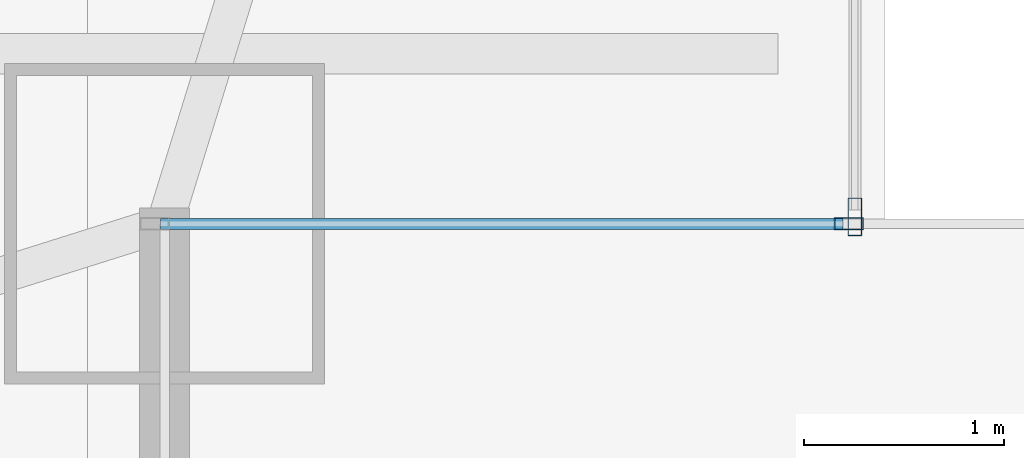
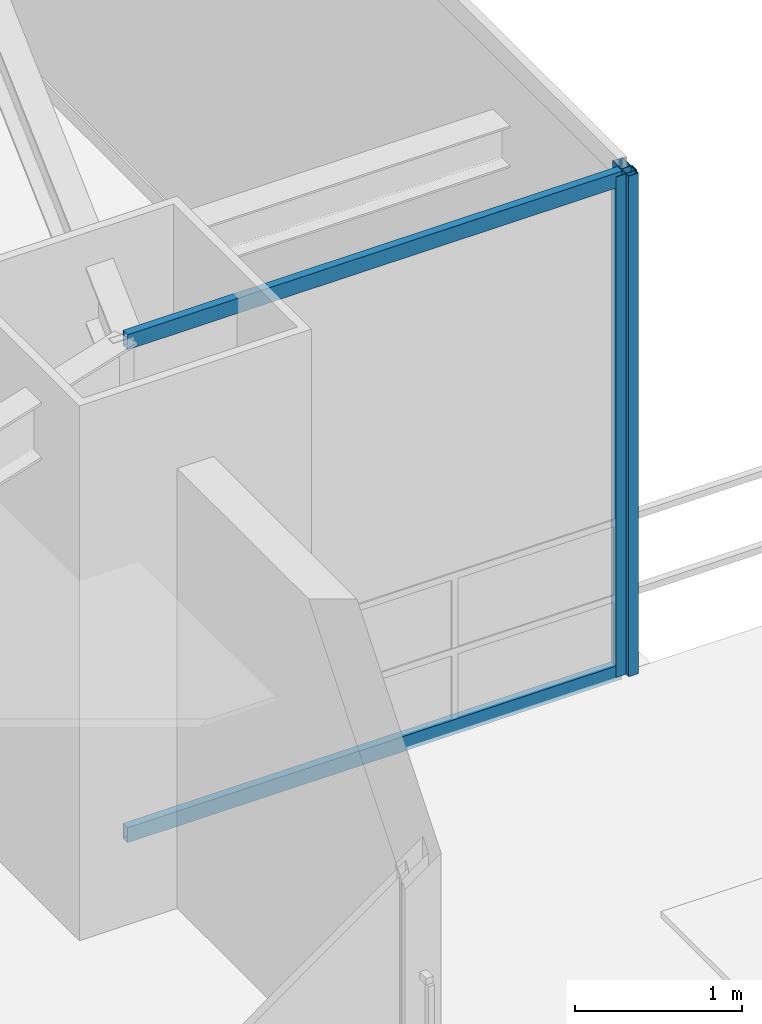
# One storey, part 22 of 34: 4 members, 2 elements without a shape of their own.
"""IFC4 building model written with IfcOpenShell, lengths in metres."""

import ifcopenshell
import ifcopenshell.guid

model = None  # the IFC model being written
_history = None  # IfcOwnerHistory: only IFC2X3 demands one
_inside = {}  # id of a spatial element -> (the spatial element, [elements in it])
_under = {}  # id of a project, library or spatial element -> (it, [spatial elements below it])
_declared = {}  # id of a project -> (the project, [libraries it declares])
_typed = {}  # id of a type object -> (the type object, [elements of that type])
_made_of = {}  # id of a material, layer set ... -> (it, [elements and type objects made of it])


def new_model(schema):
    """Start an empty IFC model of exactly this schema.

    Asked for "IFC4X3", IfcOpenShell would pick the latest addendum, in which some entities
    have other attributes; the version numbers below select the first issue.
    IFC2X3 requires an IfcOwnerHistory on every rooted entity: one is made here for all.
    """
    global model, _history
    if schema == "IFC4X3":
        model = ifcopenshell.file(schema_version=(4, 3, 0, 0))
    else:
        model = ifcopenshell.file(schema=schema)
    _inside.clear()
    _under.clear()
    _declared.clear()
    _typed.clear()
    _made_of.clear()
    _history = None
    if model.schema == "IFC2X3":
        org = make("IfcOrganization", Name="unknown")
        user = make(
            "IfcPersonAndOrganization",
            ThePerson=make("IfcPerson", FamilyName="unknown"),
            TheOrganization=org,
        )
        app = make(
            "IfcApplication",
            ApplicationDeveloper=org,
            Version="unknown",
            ApplicationFullName="unknown",
            ApplicationIdentifier="unknown",
        )
        _history = make(
            "IfcOwnerHistory",
            OwningUser=user,
            OwningApplication=app,
            ChangeAction="ADDED",
            CreationDate=0,
        )
    return model


def make(cls, **values):
    """One entity of the class cls with the attributes given. An attribute that is None is left unset."""
    return model.create_entity(
        cls, **{name: value for name, value in values.items() if value is not None}
    )


def rooted(cls, **values):
    """An entity with a GlobalId (a new one), such as an element, a storey or a relation."""
    return make(cls, GlobalId=ifcopenshell.guid.new(), OwnerHistory=_history, **values)


def si_unit(unit_type, name, prefix=None):
    """IfcSIUnit, for example si_unit("LENGTHUNIT", "METRE", prefix="MILLI")."""
    return make("IfcSIUnit", UnitType=unit_type, Prefix=prefix, Name=name)


def assignment(units):
    """IfcUnitAssignment: the units of a project."""
    return None if units is None else make("IfcUnitAssignment", Units=units)


def point(xyz):
    """IfcCartesianPoint."""
    return None if xyz is None else make("IfcCartesianPoint", Coordinates=xyz)


def direction(xyz):
    """IfcDirection."""
    return None if xyz is None else make("IfcDirection", DirectionRatios=xyz)


def frame(location, z_axis=None, x_axis=None):
    """IfcAxis2Placement3D, a coordinate frame: its origin and axes. An axis left out is left unset."""
    return make(
        "IfcAxis2Placement3D",
        Location=point(location),
        Axis=direction(z_axis),
        RefDirection=direction(x_axis),
    )


def frame_2d(location, x_axis=None):
    """IfcAxis2Placement2D, a coordinate frame in the plane: its origin and x axis."""
    return make(
        "IfcAxis2Placement2D", Location=point(location), RefDirection=direction(x_axis)
    )


def origin():
    """The frame at (0, 0, 0) with its axes left unset."""
    return frame((0.0, 0.0, 0.0))


def origin_2d():
    """The frame at (0, 0) in the plane with its x axis left unset."""
    return frame_2d((0.0, 0.0))


def place(relative_to, where):
    """IfcLocalPlacement: puts the frame where relative to a parent placement (None: the world)."""
    return make(
        "IfcLocalPlacement", PlacementRelTo=relative_to, RelativePlacement=where
    )


def context(
    kind, dimensions, precision=None, world=None, true_north=None, identifier=None
):
    """IfcGeometricRepresentationContext, for example the 3D "Model" context."""
    return make(
        "IfcGeometricRepresentationContext",
        ContextIdentifier=identifier,
        ContextType=kind,
        CoordinateSpaceDimension=dimensions,
        Precision=precision,
        WorldCoordinateSystem=world,
        TrueNorth=true_north,
    )


def subcontext(parent, identifier, kind, view, scale=None):
    """IfcGeometricRepresentationSubContext, for example "Body" below "Model"."""
    return make(
        "IfcGeometricRepresentationSubContext",
        ContextIdentifier=identifier,
        ContextType=kind,
        ParentContext=parent,
        TargetScale=scale,
        TargetView=view,
    )


def project(units=None, contexts=None):
    """IfcProject with its units and contexts."""
    return rooted(
        "IfcProject",
        Name="project",
        RepresentationContexts=contexts,
        UnitsInContext=assignment(units),
    )


def spatial(cls, under=None, at=None, **own):
    """A site, building, storey or space (cls), placed at a placement, below another one or the project."""
    s = rooted(cls, ObjectPlacement=at, **own)
    if under is not None:
        _under.setdefault(under.id(), (under, []))[1].append(s)
    return s


def profile(cls, at=None, kind="AREA", **sizes):
    """A parametric profile (cls). Its sizes go by their IFC names, for example OverallWidth=200.0."""
    return make(cls, ProfileType=kind, Position=at, **sizes)


def hollow_rectangle(**sizes):
    """IfcRectangleHollowProfileDef."""
    return profile("IfcRectangleHollowProfileDef", **sizes)


def extrude(swept, where, along, depth):
    """IfcExtrudedAreaSolid: the profile swept, set in the frame where, extruded along a direction by depth."""
    return make(
        "IfcExtrudedAreaSolid",
        SweptArea=swept,
        Position=where,
        ExtrudedDirection=direction(along),
        Depth=depth,
    )


def shape(context_of_items, identifier, shape_type, items):
    """IfcShapeRepresentation: the items that make up one representation, for example the "Body"."""
    return make(
        "IfcShapeRepresentation",
        ContextOfItems=context_of_items,
        RepresentationIdentifier=identifier,
        RepresentationType=shape_type,
        Items=items,
    )


def source(mapping_origin, context_of_items, identifier, shape_type, items):
    """IfcRepresentationMap: a shape defined once, which mapped items show again and again."""
    return make(
        "IfcRepresentationMap",
        MappingOrigin=mapping_origin,
        MappedRepresentation=shape(context_of_items, identifier, shape_type, items),
    )


def transform(
    local_origin,
    x_axis=None,
    y_axis=None,
    z_axis=None,
    scale=None,
    scale2=None,
    scale3=None,
    uniform=True,
):
    """IfcCartesianTransformationOperator3D, or its non-uniform kind. x_axis, y_axis, z_axis: its Axis1, 2, 3."""
    if uniform:
        return make(
            "IfcCartesianTransformationOperator3D",
            Axis1=direction(x_axis),
            Axis2=direction(y_axis),
            LocalOrigin=point(local_origin),
            Scale=scale,
            Axis3=direction(z_axis),
        )
    return make(
        "IfcCartesianTransformationOperator3DnonUniform",
        Axis1=direction(x_axis),
        Axis2=direction(y_axis),
        LocalOrigin=point(local_origin),
        Scale=scale,
        Axis3=direction(z_axis),
        Scale2=scale2,
        Scale3=scale3,
    )


def mapped(mapping_source, mapping_target):
    """IfcMappedItem: shows the shape of a source again, moved by a transform."""
    return make(
        "IfcMappedItem", MappingSource=mapping_source, MappingTarget=mapping_target
    )


def material(Name=None, Category=None):
    """IfcMaterial."""
    return make("IfcMaterial", Name=Name, Category=Category)


def layer(
    of_material, thickness, ventilated=None, Name=None, Category=None, Priority=None
):
    """IfcMaterialLayer: one layer of a wall or slab, of a material (None: an air gap)."""
    return make(
        "IfcMaterialLayer",
        Material=of_material,
        LayerThickness=thickness,
        IsVentilated=ventilated,
        Name=Name,
        Category=Category,
        Priority=Priority,
    )


def layer_set(layers, Name=None):
    """IfcMaterialLayerSet."""
    return make("IfcMaterialLayerSet", MaterialLayers=layers, LayerSetName=Name)


def material_profile(
    of_material, cross_section, Name=None, Category=None, Priority=None
):
    """IfcMaterialProfile: a cross section and its material."""
    return make(
        "IfcMaterialProfile",
        Name=Name,
        Material=of_material,
        Profile=cross_section,
        Priority=Priority,
        Category=Category,
    )


def profile_set(profiles, Name=None, composite=None):
    """IfcMaterialProfileSet."""
    return make(
        "IfcMaterialProfileSet",
        Name=Name,
        MaterialProfiles=profiles,
        CompositeProfile=composite,
    )


def made_of(thing, what):
    """Note that an element or type object is made of a material, layer set ...; save() writes the relation."""
    if what is not None:
        _made_of.setdefault(what.id(), (what, []))[1].append(thing)
    return thing


def type_object(cls, material=None, **own):
    """A type object (cls), such as IfcWallType, which elements share."""
    return made_of(rooted(cls, **own), material)


def type_shapes(of_type, sources):
    """Give a type object the sources (RepresentationMaps) that its elements show as mapped items."""
    of_type.RepresentationMaps = sources


def element(
    cls,
    number,
    at=None,
    inside=None,
    cuts=None,
    type_object=None,
    material=None,
    context=None,
    identifier="Body",
    shape_type=None,
    held_by="IfcProductDefinitionShape",
    body=None,
    shapes=None,
    **own,
):
    """One element of the class cls, such as IfcWall. Its Tag is "e" and its number.

    at: its placement. inside: the storey or other place that contains it. cuts: it is an
    opening in that element (IfcRelVoidsElement). A single representation is given by context,
    identifier, shape_type and body (its items); several are given by shapes. held_by: the class
    of the entity that holds the representations. save() writes the other relations.
    """
    e = rooted(cls, Tag="e%d" % number, ObjectPlacement=at, **own)
    if body is not None:
        shapes = [shape(context, identifier, shape_type, body)]
    if shapes is not None:
        e.Representation = make(held_by, Representations=shapes)
    if inside is not None:
        _inside.setdefault(inside.id(), (inside, []))[1].append(e)
    if cuts is not None:
        rooted(
            "IfcRelVoidsElement", RelatingBuildingElement=cuts, RelatedOpeningElement=e
        )
    if type_object is not None:
        _typed.setdefault(type_object.id(), (type_object, []))[1].append(e)
    return made_of(e, material)


def aggregate(whole, parts):
    """IfcRelAggregates: a whole, such as a stair, and the parts it consists of."""
    return rooted("IfcRelAggregates", RelatingObject=whole, RelatedObjects=parts)


def save(model, path):
    """Write the relations noted so far, then the file.

    IfcRelAggregates (storeys below a building ...), IfcRelContainedInSpatialStructure (elements
    in a storey), IfcRelDefinesByType, IfcRelAssociatesMaterial and IfcRelDeclares: one each for
    every whole, place, type object, material and project.
    """
    for whole, parts in _under.values():
        aggregate(whole, parts)
    for where, things in _inside.values():
        rooted(
            "IfcRelContainedInSpatialStructure",
            RelatedElements=things,
            RelatingStructure=where,
        )
    for kind, things in _typed.values():
        rooted("IfcRelDefinesByType", RelatedObjects=things, RelatingType=kind)
    for what, things in _made_of.values():
        rooted("IfcRelAssociatesMaterial", RelatedObjects=things, RelatingMaterial=what)
    for by, libraries in _declared.values():
        rooted("IfcRelDeclares", RelatingContext=by, RelatedDefinitions=libraries)
    model.write(path)


model = new_model("IFC4")

# Units and contexts
model_context = context("Model", 3, precision=1e-05, world=origin(), true_north=direction((0.0, 1.0)))
body_context = subcontext(model_context, "Body", "Model", "MODEL_VIEW")
ifc_project = project(units=[si_unit("LENGTHUNIT", "METRE"), si_unit("AREAUNIT", "SQUARE_METRE"), si_unit("VOLUMEUNIT", "CUBIC_METRE"), si_unit("PLANEANGLEUNIT", "RADIAN"), si_unit("MASSUNIT", "GRAM", prefix="KILO")], contexts=[model_context])

# Site, building, storey
site_placement = place(None, origin())
site = spatial("IfcSite", under=ifc_project, at=site_placement, CompositionType="ELEMENT")
building_placement = place(site_placement, origin())
building = spatial("IfcBuilding", under=site, at=building_placement, Name="Varnel Quay Broadcast Tower", CompositionType="ELEMENT")
storey_placement = place(building_placement, frame((0.0, 0.0, 27.60009765625)))
storey = spatial("IfcBuildingStorey", under=building, at=storey_placement, Name="L05", CompositionType="ELEMENT", Elevation=27.60009765625)

# Curtain wall, member
ifc_material = material(Name="Anodised Bronze Aluminium 6063-T6", Category="aluminium")
ifc_layer_1 = layer(ifc_material, 0.18994140625, Name="Anodised Bronze Aluminium 6063-T6")
ifc_layer_set_1 = layer_set([ifc_layer_1], Name="Anodised Bronze Aluminium 6063-T6")
curtain_wall_type_1 = type_object("IfcCurtainWallType", Name="CW_LowerTower", PredefinedType="NOTDEFINED", material=ifc_layer_set_1)
curtain_wall_1_placement = place(storey_placement, origin())
curtain_wall_1 = element("IfcCurtainWall", 1, at=curtain_wall_1_placement, inside=storey, type_object=curtain_wall_type_1, Name="L05 East Unitised Curtain Wall", PredefinedType="NOTDEFINED")
ifc_material_profile_1 = material_profile(ifc_material, hollow_rectangle(XDim=0.070068359375, YDim=0.18994140625, WallThickness=0.00390625, at=origin_2d()), Name="ALU70X190X4")
ifc_profile_set_1 = profile_set([ifc_material_profile_1], Name="Anodised Bronze Aluminium 6063-T6")
member_type_1 = type_object("IfcMemberType", Name="Mull_CWS-02", PredefinedType="MULLION", material=ifc_profile_set_1)
shared_shape_1 = source(origin(), body_context, "Body", "SweptSolid", [
    extrude(hollow_rectangle(XDim=0.070068359375, YDim=0.18994140625, WallThickness=0.00390625, at=origin_2d()), origin(), (0.0, 0.0, 1.0), 3.64990234375),
])
type_shapes(member_type_1, [shared_shape_1])
member_1_placement = place(storey_placement, frame((65.85009765625, 4.8349609375, 0.0), z_axis=(0.0, 0.0, 1.0), x_axis=(-1.0, 0.0, 0.0)))
member_1 = element("IfcMember", 2, at=member_1_placement, type_object=member_type_1, Name="CWS-02 mullion 1", PredefinedType="MULLION", context=body_context, shape_type="MappedRepresentation", body=[
    mapped(shared_shape_1, transform((0.0, 0.0, 0.0), x_axis=(1.0, 0.0, 0.0), y_axis=(0.0, 1.0, 0.0), z_axis=(0.0, 0.0, 1.0), scale=1.0)),
])
aggregate(curtain_wall_1, [member_1])

# Curtain wall, members
ifc_layer_2 = layer(ifc_material, 0.18994140625, Name="Anodised Bronze Aluminium 6063-T6")
ifc_layer_set_2 = layer_set([ifc_layer_2], Name="Anodised Bronze Aluminium 6063-T6")
curtain_wall_type_2 = type_object("IfcCurtainWallType", Name="CW_NotchCorner", PredefinedType="NOTDEFINED", material=ifc_layer_set_2)
curtain_wall_2_placement = place(storey_placement, origin())
curtain_wall_2 = element("IfcCurtainWall", 3, at=curtain_wall_2_placement, inside=storey, type_object=curtain_wall_type_2, Name="L05 SE Notch Curtain Wall", PredefinedType="NOTDEFINED")
ifc_material_profile_2 = material_profile(ifc_material, hollow_rectangle(XDim=0.06005859375, YDim=0.14501953125, WallThickness=0.00341796875, at=origin_2d()), Name="ALU60X145X3.5")
ifc_profile_set_2 = profile_set([ifc_material_profile_2], Name="Anodised Bronze Aluminium 6063-T6")
member_type_2 = type_object("IfcMemberType", Name="Mull_CWS-04", PredefinedType="MULLION", material=ifc_profile_set_2)
shared_shape_2 = source(origin(), body_context, "Body", "SweptSolid", [
    extrude(hollow_rectangle(XDim=0.06005859375, YDim=0.14501953125, WallThickness=0.00341796875, at=origin_2d()), origin(), (0.0, 0.0, 1.0), 3.64990234375),
])
type_shapes(member_type_2, [shared_shape_2])
member_2_placement = place(storey_placement, frame((65.820068359375, 4.800048828125, 0.0), z_axis=(0.0, 0.0, 1.0), x_axis=(0.0, 1.0, 0.0)))
member_2 = element("IfcMember", 4, at=member_2_placement, type_object=member_type_2, Name="CWS-04 mullion 2", PredefinedType="MULLION", context=body_context, shape_type="MappedRepresentation", body=[
    mapped(shared_shape_2, transform((0.0, 0.0, 0.0), x_axis=(1.0, 0.0, 0.0), y_axis=(0.0, 1.0, 0.0), z_axis=(0.0, 0.0, 1.0), scale=1.0)),
])
ifc_material_profile_3 = material_profile(ifc_material, hollow_rectangle(XDim=0.054931640625, YDim=0.110107421875, WallThickness=0.0029296875, at=origin_2d()), Name="ALU55X110X3")
ifc_profile_set_3 = profile_set([ifc_material_profile_3], Name="Anodised Bronze Aluminium 6063-T6")
member_type_3 = type_object("IfcMemberType", Name="Tran_CWS-04", PredefinedType="USERDEFINED", material=ifc_profile_set_3)
shared_shape_3 = source(origin(), body_context, "Body", "SweptSolid", [
    extrude(hollow_rectangle(XDim=0.054931640625, YDim=0.110107421875, WallThickness=0.0029296875, at=origin_2d()), origin(), (0.0, 0.0, 1.0), 3.41015625),
])
type_shapes(member_type_3, [shared_shape_3])
member_3_placement = place(storey_placement, frame((62.3798828125, 4.800048828125, 0.02734375), z_axis=(1.0, 0.0, 0.0), x_axis=(0.0, 1.0, 0.0)))
member_3 = element("IfcMember", 5, at=member_3_placement, type_object=member_type_3, Name="CWS-04 transom 1.1", ObjectType="TRANSOM", PredefinedType="USERDEFINED", context=body_context, shape_type="MappedRepresentation", body=[
    mapped(shared_shape_3, transform((0.0, 0.0, 0.0), x_axis=(1.0, 0.0, 0.0), y_axis=(0.0, 1.0, 0.0), z_axis=(0.0, 0.0, 1.0), scale=1.0)),
])
member_4_placement = place(storey_placement, frame((62.3798828125, 4.800048828125, 3.622314453125), z_axis=(1.0, 0.0, 0.0), x_axis=(0.0, 1.0, 0.0)))
member_4 = element("IfcMember", 6, at=member_4_placement, type_object=member_type_3, Name="CWS-04 transom 1.2", ObjectType="TRANSOM", PredefinedType="USERDEFINED", context=body_context, shape_type="MappedRepresentation", body=[
    mapped(shared_shape_3, transform((0.0, 0.0, 0.0), x_axis=(1.0, 0.0, 0.0), y_axis=(0.0, 1.0, 0.0), z_axis=(0.0, 0.0, 1.0), scale=1.0)),
])
aggregate(curtain_wall_2, [member_2, member_3, member_4])

save(model, "model.ifc")
